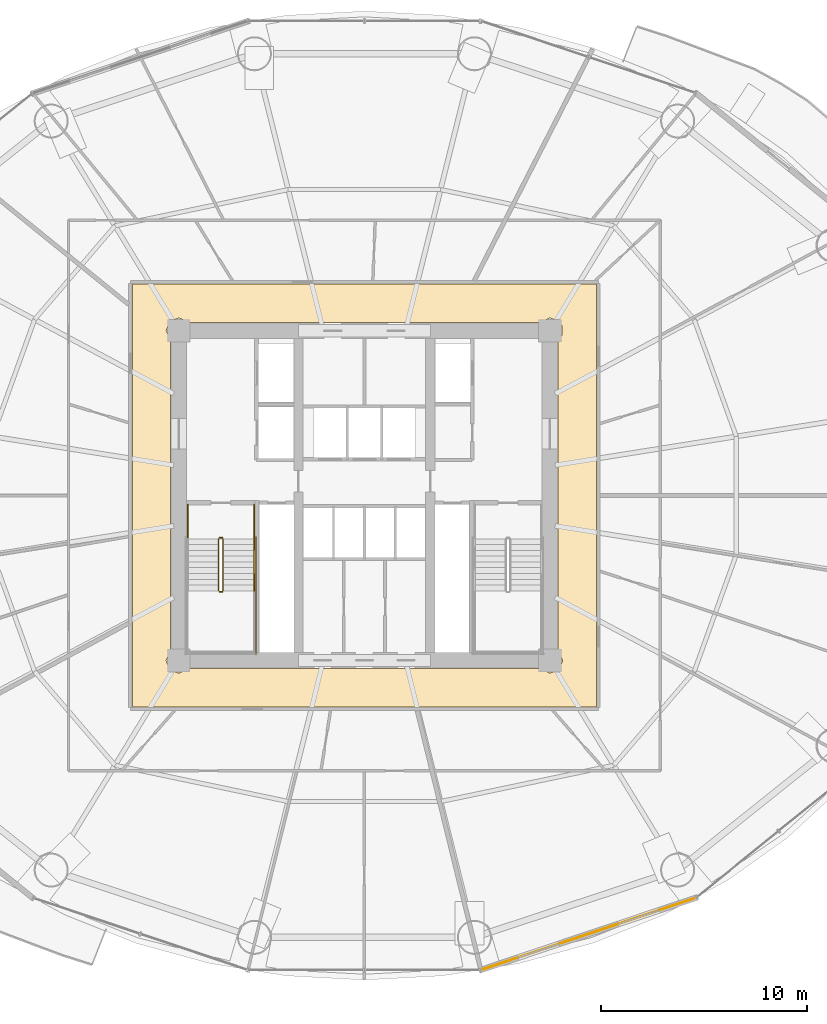
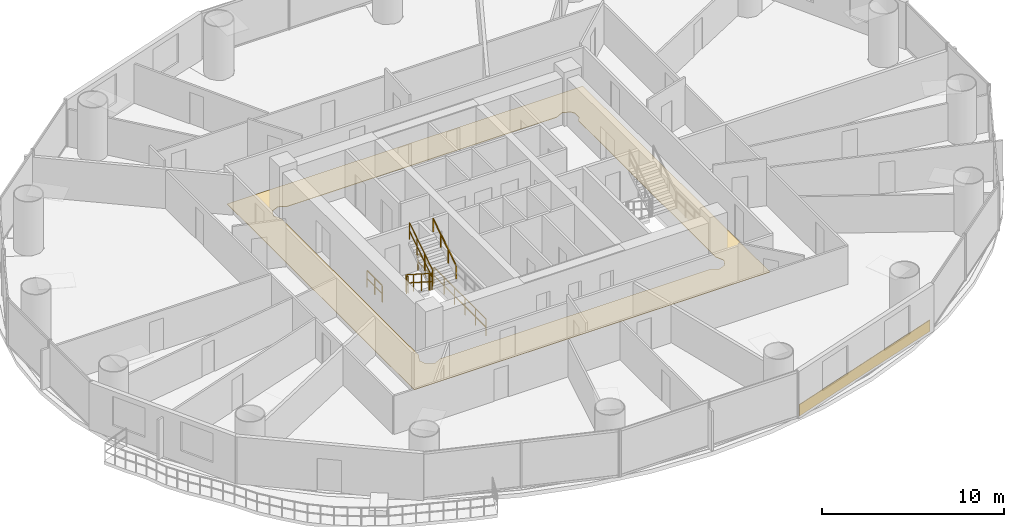
# One storey, part 27 of 29: 8 railings, 2 coverings.
"""IFC4 building model written with IfcOpenShell, lengths in metres."""

from ifc_helpers import new_model, si_unit, direction, frame, origin, origin_2d, place, context, subcontext, project, spatial, polyline, rectangle, outline, extrude, source, transform, mapped, material, layer, layer_set, type_object, element, save


model = new_model("IFC4")

# Units and contexts
model_context = context("Model", 3, precision=1e-05, world=origin(), true_north=direction((-0.2419218956, 0.970295726276)))
body_context = subcontext(model_context, "Body", "Model", "MODEL_VIEW")
ifc_project = project(units=[si_unit("LENGTHUNIT", "METRE"), si_unit("AREAUNIT", "SQUARE_METRE"), si_unit("VOLUMEUNIT", "CUBIC_METRE"), si_unit("PLANEANGLEUNIT", "RADIAN"), si_unit("MASSUNIT", "GRAM", prefix="KILO")], contexts=[model_context])

# Site, building, storey
site_placement = place(None, origin())
site = spatial("IfcSite", under=ifc_project, at=site_placement, CompositionType="ELEMENT")
building_placement = place(site_placement, origin())
building = spatial("IfcBuilding", under=site, at=building_placement, Name="Cobrevalo Terracotta Tower", CompositionType="ELEMENT")
storey_placement = place(building_placement, frame((0.0, 0.0, 70.800048828125)))
storey = spatial("IfcBuildingStorey", under=building, at=storey_placement, Name="L18", CompositionType="ELEMENT", Elevation=70.800048828125)

# Covering
ifc_material_1 = material(Name="Honed terracotta and granite tile", Category="masonry")
ifc_layer_1 = layer(ifc_material_1, 0.034912109375)
ifc_layer_set_1 = layer_set([ifc_layer_1], Name="Honed terracotta and granite tile")
covering_type_1 = type_object("IfcCoveringType", Name="Honed Terracotta & Granite Interior Flooring 35", PredefinedType="FLOORING", material=ifc_layer_set_1)
covering_1_placement = place(storey_placement, origin())
element("IfcCovering", 1, at=covering_1_placement, inside=storey, type_object=covering_type_1, Name="L18 Residential Floor Corridor floor finish", PredefinedType="FLOORING", context=body_context, shape_type="SweptSolid", body=[
    extrude(outline(polyline([(49.2548828125, 37.054931640625), (49.2548828125, 16.544921875), (26.7451171875, 16.544921875), (26.7451171875, 37.054931640625), (49.2548828125, 37.054931640625)]), holes=[polyline([(47.39501953125, 34.33203125), (47.5732421875, 34.5625), (47.5732421875, 35.037353515625), (47.438720703125, 35.23876953125), (47.0, 35.42041015625), (46.5322265625, 35.195068359375), (29.4677734375, 35.195068359375), (29.0, 35.42041015625), (28.561279296875, 35.23876953125), (28.379638671875, 34.800048828125), (28.60498046875, 34.33203125), (28.60498046875, 19.267822265625), (28.379638671875, 18.800048828125), (28.561279296875, 18.361328125), (29.0, 18.1796875), (29.4677734375, 18.405029296875), (46.5322265625, 18.405029296875), (47.0, 18.1796875), (47.438720703125, 18.361328125), (47.620361328125, 18.800048828125), (47.39501953125, 19.267822265625), (47.39501953125, 34.33203125)])]), origin(), (0.0, 0.0, 1.0), 0.030029296875),
])

# Railings
ifc_material_2 = material(Name="Brushed stainless steel", Category="steel")
railing_type_1 = type_object("IfcRailingType", Name="Stainless Steel Stair Handrail 900", PredefinedType="HANDRAIL", material=ifc_material_2)
railing_1_placement = place(storey_placement, frame((32.64501953125, 22.179931640625, 1.97998046875)))
element("IfcRailing", 2, at=railing_1_placement, inside=storey, type_object=railing_type_1, Name="L18 ST-1 stair handrail 2", PredefinedType="HANDRAIL", context=body_context, shape_type="SweptSolid", body=[
    extrude(rectangle(XDim=0.048095703125, YDim=0.048095703125, at=origin_2d()), frame((0.0, 0.0, 0.8759765625), z_axis=(0.0, 0.841199657755, 0.540724639528), x_axis=(-1.0, 0.0, 0.0)), (0.0, 0.0, 1.0), 2.995849609375),
    extrude(rectangle(XDim=0.0419921875, YDim=0.0419921875, at=origin_2d()), origin(), (0.0, 0.0, 1.0), 0.851806640625),
    extrude(rectangle(XDim=0.0419921875, YDim=0.0419921875, at=origin_2d()), frame((0.0, 0.840087890625, 0.5400390625)), (0.0, 0.0, 1.0), 0.851806640625),
    extrude(rectangle(XDim=0.0419921875, YDim=0.0419921875, at=origin_2d()), frame((0.0, 1.679931640625, 1.079833984375)), (0.0, 0.0, 1.0), 0.851806640625),
    extrude(rectangle(XDim=0.0419921875, YDim=0.0419921875, at=origin_2d()), frame((0.0, 2.52001953125, 1.619873046875)), (0.0, 0.0, 1.0), 0.851806640625),
])
ifc_material_3 = material(Name="Painted galvanized steel", Category="steel")
railing_type_2 = type_object("IfcRailingType", Name="Stair Well Guard Balustrade 1150", PredefinedType="GUARDRAIL", material=ifc_material_3)
railing_2_placement = place(storey_placement, frame((30.925048828125, 24.699951171875, 0.179931640625)))
element("IfcRailing", 3, at=railing_2_placement, inside=storey, type_object=railing_type_2, Name="L18 ST-1 stair guard 1", PredefinedType="GUARDRAIL", context=body_context, shape_type="SweptSolid", body=[
    extrude(rectangle(XDim=0.048095703125, YDim=0.048095703125, at=origin_2d()), frame((0.0, 0.0, 1.1259765625), z_axis=(0.0, -0.841162588446, 0.540782303519), x_axis=(1.0, 0.0, 0.0)), (0.0, 0.0, 1.0), 2.995849609375),
    extrude(rectangle(XDim=0.048095703125, YDim=0.048095703125, at=origin_2d()), frame((0.0, 0.0, 0.574951171875), z_axis=(0.0, -0.841162588446, 0.540782303519), x_axis=(1.0, 0.0, 0.0)), (0.0, 0.0, 1.0), 2.995849609375),
    extrude(rectangle(XDim=0.0419921875, YDim=0.0419921875, at=origin_2d()), origin(), (0.0, 0.0, 1.0), 1.101806640625),
    extrude(rectangle(XDim=0.0419921875, YDim=0.0419921875, at=origin_2d()), frame((0.0, -0.840087890625, 0.5400390625)), (0.0, 0.0, 1.0), 1.101806640625),
    extrude(rectangle(XDim=0.0419921875, YDim=0.0419921875, at=origin_2d()), frame((0.0, -1.679931640625, 1.080078125)), (0.0, 0.0, 1.0), 1.101806640625),
    extrude(rectangle(XDim=0.0419921875, YDim=0.0419921875, at=origin_2d()), frame((0.0, -2.52001953125, 1.6201171875)), (0.0, 0.0, 1.0), 1.101806640625),
])
railing_3_placement = place(storey_placement, frame((30.97509765625, 22.1298828125, 1.800048828125)))
element("IfcRailing", 4, at=railing_3_placement, inside=storey, type_object=railing_type_2, Name="L18 ST-1 stair guard 2", PredefinedType="GUARDRAIL", context=body_context, shape_type="SweptSolid", body=[
    extrude(rectangle(XDim=0.048095703125, YDim=0.048095703125, at=origin_2d()), frame((0.0, 0.0, 1.1259765625), z_axis=(1.0, 0.0, 0.0), x_axis=(0.0, 1.0, 0.0)), (0.0, 0.0, 1.0), 0.119873046875),
    extrude(rectangle(XDim=0.048095703125, YDim=0.048095703125, at=origin_2d()), frame((0.0, 0.0, 0.574951171875), z_axis=(1.0, 0.0, 0.0), x_axis=(0.0, 1.0, 0.0)), (0.0, 0.0, 1.0), 0.119873046875),
    extrude(rectangle(XDim=0.0419921875, YDim=0.0419921875, at=origin_2d()), origin(), (0.0, 0.0, 1.0), 1.101806640625),
    extrude(rectangle(XDim=0.0419921875, YDim=0.0419921875, at=origin_2d()), frame((0.119873046875, 0.0, 0.0)), (0.0, 0.0, 1.0), 1.101806640625),
])
railing_4_placement = place(storey_placement, frame((31.14501953125, 22.179931640625, 1.97998046875)))
element("IfcRailing", 5, at=railing_4_placement, inside=storey, type_object=railing_type_2, Name="L18 ST-1 stair guard 6", PredefinedType="GUARDRAIL", context=body_context, shape_type="SweptSolid", body=[
    extrude(rectangle(XDim=0.048095703125, YDim=0.048095703125, at=origin_2d()), frame((0.0, 0.0, 1.1259765625), z_axis=(0.0, 0.841199657755, 0.540724639528), x_axis=(-1.0, 0.0, 0.0)), (0.0, 0.0, 1.0), 2.995849609375),
    extrude(rectangle(XDim=0.048095703125, YDim=0.048095703125, at=origin_2d()), frame((0.0, 0.0, 0.574951171875), z_axis=(0.0, 0.841199657755, 0.540724639528), x_axis=(-1.0, 0.0, 0.0)), (0.0, 0.0, 1.0), 2.995849609375),
    extrude(rectangle(XDim=0.0419921875, YDim=0.0419921875, at=origin_2d()), origin(), (0.0, 0.0, 1.0), 1.101806640625),
    extrude(rectangle(XDim=0.0419921875, YDim=0.0419921875, at=origin_2d()), frame((0.0, 0.840087890625, 0.5400390625)), (0.0, 0.0, 1.0), 1.101806640625),
    extrude(rectangle(XDim=0.0419921875, YDim=0.0419921875, at=origin_2d()), frame((0.0, 1.679931640625, 1.079833984375)), (0.0, 0.0, 1.0), 1.101806640625),
    extrude(rectangle(XDim=0.0419921875, YDim=0.0419921875, at=origin_2d()), frame((0.0, 2.52001953125, 1.619873046875)), (0.0, 0.0, 1.0), 1.101806640625),
])
railing_5_placement = place(storey_placement, frame((30.97509765625, 24.75, 0.0)))
element("IfcRailing", 6, at=railing_5_placement, inside=storey, type_object=railing_type_2, Name="L18 ST-1 stair guard 7", PredefinedType="GUARDRAIL", context=body_context, shape_type="SweptSolid", body=[
    extrude(rectangle(XDim=0.048095703125, YDim=0.048095703125, at=origin_2d()), frame((0.0, 0.0, 1.1259765625), z_axis=(1.0, 0.0, 0.0), x_axis=(0.0, 1.0, 0.0)), (0.0, 0.0, 1.0), 0.119873046875),
    extrude(rectangle(XDim=0.048095703125, YDim=0.048095703125, at=origin_2d()), frame((0.0, 0.0, 0.574951171875), z_axis=(1.0, 0.0, 0.0), x_axis=(0.0, 1.0, 0.0)), (0.0, 0.0, 1.0), 0.119873046875),
    extrude(rectangle(XDim=0.0419921875, YDim=0.0419921875, at=origin_2d()), origin(), (0.0, 0.0, 1.0), 1.101806640625),
    extrude(rectangle(XDim=0.0419921875, YDim=0.0419921875, at=origin_2d()), frame((0.119873046875, 0.0, 0.0)), (0.0, 0.0, 1.0), 1.101806640625),
])
for number, where, name in (
    (7, (29.425048828125, 26.35009765625, 0.0), "L18 ST-1 stair guard 8"),
    (8, (32.64501953125, 26.35009765625, 0.0), "L18 ST-1 stair guard 9"),
):
    element("IfcRailing", number, at=place(storey_placement, frame(where)), inside=storey, type_object=railing_type_2, Name=name, PredefinedType="GUARDRAIL", context=body_context, shape_type="SweptSolid", body=[
        extrude(rectangle(XDim=0.048095703125, YDim=0.048095703125, at=origin_2d()), frame((0.0, 0.0, 1.1259765625), z_axis=(0.0, -1.0, 0.0), x_axis=(1.0, 0.0, 0.0)), (0.0, 0.0, 1.0), 1.650146484375),
        extrude(rectangle(XDim=0.048095703125, YDim=0.048095703125, at=origin_2d()), frame((0.0, 0.0, 0.574951171875), z_axis=(0.0, -1.0, 0.0), x_axis=(1.0, 0.0, 0.0)), (0.0, 0.0, 1.0), 1.650146484375),
        extrude(rectangle(XDim=0.0419921875, YDim=0.0419921875, at=origin_2d()), origin(), (0.0, 0.0, 1.0), 1.101806640625),
        extrude(rectangle(XDim=0.0419921875, YDim=0.0419921875, at=origin_2d()), frame((0.0, -0.8251953125, 0.0)), (0.0, 0.0, 1.0), 1.101806640625),
        extrude(rectangle(XDim=0.0419921875, YDim=0.0419921875, at=origin_2d()), frame((0.0, -1.650146484375, 0.0)), (0.0, 0.0, 1.0), 1.101806640625),
    ])
railing_6_placement = place(storey_placement, frame((32.7451171875, 24.800048828125, 0.0)))
element("IfcRailing", 9, at=railing_6_placement, inside=storey, type_object=railing_type_2, Name="L18 ST-1 stair guard 11", PredefinedType="GUARDRAIL", context=body_context, shape_type="SweptSolid", body=[
    extrude(rectangle(XDim=0.048095703125, YDim=0.048095703125, at=origin_2d()), frame((0.0, 0.0, 1.1259765625), z_axis=(0.0, -1.0, 0.0), x_axis=(1.0, 0.0, 0.0)), (0.0, 0.0, 1.0), 5.72509765625),
    extrude(rectangle(XDim=0.048095703125, YDim=0.048095703125, at=origin_2d()), frame((0.0, 0.0, 0.574951171875), z_axis=(0.0, -1.0, 0.0), x_axis=(1.0, 0.0, 0.0)), (0.0, 0.0, 1.0), 5.72509765625),
    extrude(rectangle(XDim=0.0419921875, YDim=0.0419921875, at=origin_2d()), origin(), (0.0, 0.0, 1.0), 1.101806640625),
    extrude(rectangle(XDim=0.0419921875, YDim=0.0419921875, at=origin_2d()), frame((0.0, -1.14501953125, 0.0)), (0.0, 0.0, 1.0), 1.101806640625),
    extrude(rectangle(XDim=0.0419921875, YDim=0.0419921875, at=origin_2d()), frame((0.0, -2.2900390625, 0.0)), (0.0, 0.0, 1.0), 1.101806640625),
    extrude(rectangle(XDim=0.0419921875, YDim=0.0419921875, at=origin_2d()), frame((0.0, -3.43505859375, 0.0)), (0.0, 0.0, 1.0), 1.101806640625),
    extrude(rectangle(XDim=0.0419921875, YDim=0.0419921875, at=origin_2d()), frame((0.0, -4.580078125, 0.0)), (0.0, 0.0, 1.0), 1.101806640625),
    extrude(rectangle(XDim=0.0419921875, YDim=0.0419921875, at=origin_2d()), frame((0.0, -5.72509765625, 0.0)), (0.0, 0.0, 1.0), 1.101806640625),
])

# Covering
ifc_material_4 = material(Name="Glazed terracotta facade cladding tile", Category="masonry")
ifc_layer_2 = layer(ifc_material_4, 0.044921875)
ifc_layer_set_2 = layer_set([ifc_layer_2], Name="Glazed terracotta facade cladding tile")
covering_type_2 = type_object("IfcCoveringType", Name="Architectural terracotta rainscreen spandrel cladding 45 mm", PredefinedType="CLADDING", material=ifc_layer_set_2)
shared_shape = source(origin(), body_context, "Body", "SweptSolid", [
    extrude(rectangle(XDim=10.8154296875, YDim=0.044921875, at=origin_2d()), origin(), (0.0, 0.0, 1.0), 0.760009765625),
])
covering_2_placement = place(storey_placement, frame((48.873291015625, 5.533203125, 0.0400390625), z_axis=(0.0, 0.0, 1.0), x_axis=(0.948044172593, 0.318138722592, 0.0)))
element("IfcCovering", 10, at=covering_2_placement, inside=storey, type_object=covering_type_2, Name="L18 terracotta spandrel cladding S13", PredefinedType="CLADDING", context=body_context, shape_type="MappedRepresentation", body=[
    mapped(shared_shape, transform((0.0, 0.0, 0.0), scale=1.0)),
])

save(model, "model.ifc")
